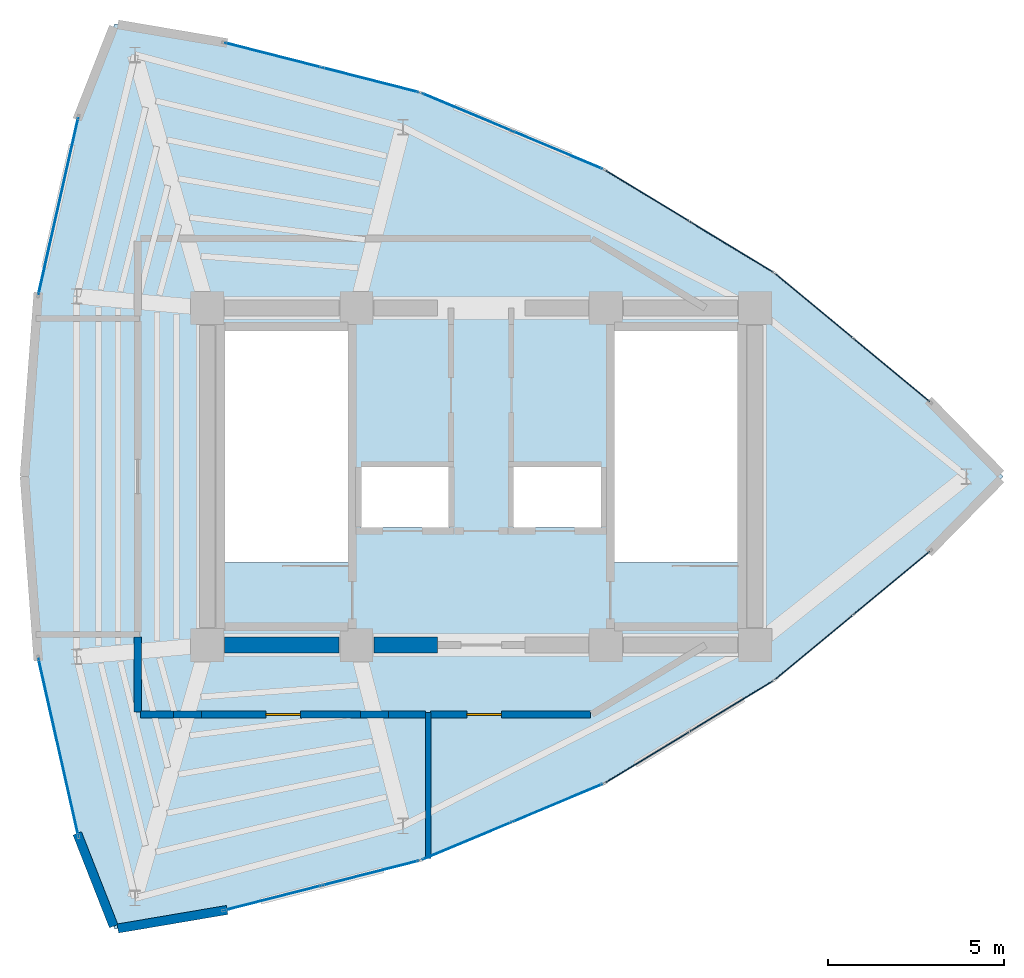
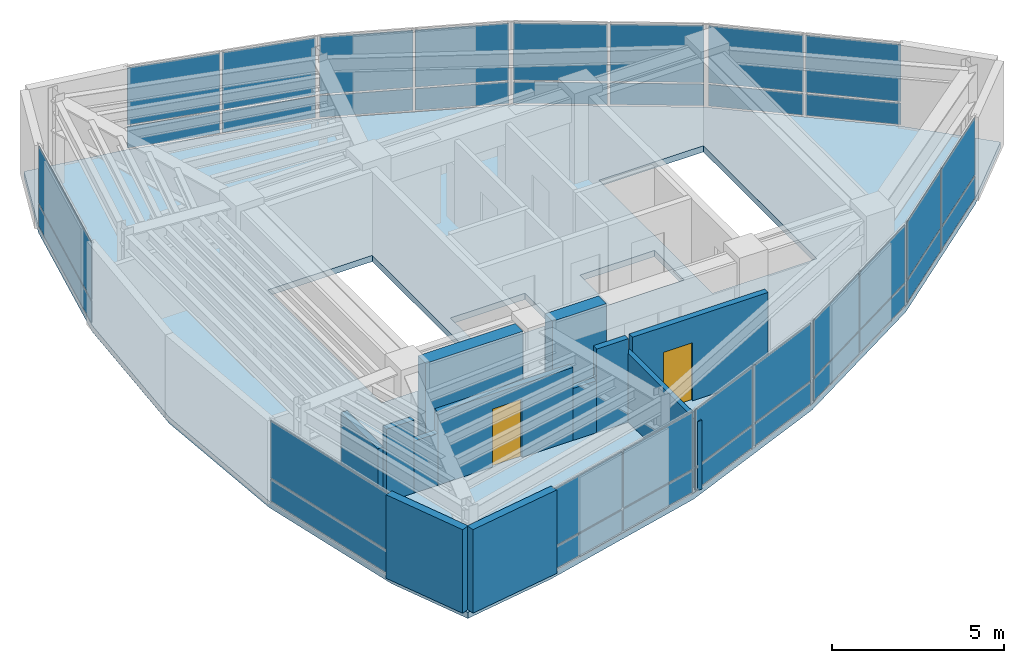
# One storey, part 11 of 13: 36 plates, 12 walls, 2 doors, 1 slab, 2 openings, 10 elements without a shape of their own.
"""IFC4 building model written with IfcOpenShell, lengths in metres."""

from ifc_helpers import new_model, si_unit, direction, frame, frame_2d, origin, origin_2d, place, context, subcontext, project, spatial, polyline, rectangle, outline, extrude, material, layer, layer_set, type_object, element, fill, aggregate, save


model = new_model("IFC4")

# Units and contexts
model_context = context("Model", 3, precision=1e-05, world=origin(), true_north=direction((0.0, 1.0)))
body_context = subcontext(model_context, "Body", "Model", "MODEL_VIEW")
ifc_project = project(units=[si_unit("LENGTHUNIT", "METRE"), si_unit("AREAUNIT", "SQUARE_METRE"), si_unit("VOLUMEUNIT", "CUBIC_METRE"), si_unit("PLANEANGLEUNIT", "RADIAN"), si_unit("MASSUNIT", "GRAM", prefix="KILO")], contexts=[model_context])

# Site, building, storey
site_placement = place(None, origin())
site = spatial("IfcSite", under=ifc_project, at=site_placement, CompositionType="ELEMENT")
building_placement = place(site_placement, origin())
building = spatial("IfcBuilding", under=site, at=building_placement, Name="Menara Vayukalpa", CompositionType="ELEMENT")
storey_placement = place(building_placement, frame((0.0, 0.0, 315.219970703125)))
storey = spatial("IfcBuildingStorey", under=building, at=storey_placement, Name="L81", CompositionType="ELEMENT", Elevation=315.219970703125)

# Curtain wall, plates
ifc_material_1 = material(Name="Anodised Terracotta Aluminium Alloy 6063-T6", Category="masonry")
ifc_layer_1 = layer(ifc_material_1, 0.14990234375)
ifc_layer_set_1 = layer_set([ifc_layer_1], Name="Anodised Terracotta Aluminium Alloy 6063-T6")
curtain_wall_type = type_object("IfcCurtainWallType", Name="CW-CW7", PredefinedType="USERDEFINED", material=ifc_layer_set_1)
curtain_wall_1_placement = place(storey_placement, origin())
curtain_wall_1 = element("IfcCurtainWall", 1, at=curtain_wall_1_placement, inside=storey, type_object=curtain_wall_type, Name="L81 Crown Drum Screened Curtain Wall CW7 03", ObjectType="UNITISED", PredefinedType="USERDEFINED")
ifc_material_2 = material(Name="Low-E Double Glazing", Category="glass")
ifc_layer_2 = layer(ifc_material_2, 0.02587890625)
ifc_layer_set_2 = layer_set([ifc_layer_2], Name="Low-E Double Glazing")
plate_type = type_object("IfcPlateType", Name="CWP-CW7", PredefinedType="CURTAIN_PANEL", material=ifc_layer_set_2)
plate_1_placement = place(storey_placement, frame((37.28271484375, 25.031982421875, 0.06005859375), z_axis=(0.0, 0.0, 1.0), x_axis=(-0.7697490702, 0.63834658997, 0.0)))
plate_1 = element("IfcPlate", 2, at=plate_1_placement, type_object=plate_type, Name="CW7 panel 1.1", PredefinedType="CURTAIN_PANEL", context=body_context, shape_type="SweptSolid", body=[
    extrude(rectangle(XDim=2.80078125, YDim=0.02587890625, at=origin_2d()), origin(), (0.0, 0.0, 1.0), 0.760009765625),
])
plate_2_placement = place(storey_placement, frame((37.28271484375, 25.031982421875, 0.880126953125), z_axis=(0.0, 0.0, 1.0), x_axis=(-0.7697490702, 0.63834658997, 0.0)))
plate_2 = element("IfcPlate", 3, at=plate_2_placement, type_object=plate_type, Name="CW7 panel 1.2", PredefinedType="CURTAIN_PANEL", context=body_context, shape_type="SweptSolid", body=[
    extrude(rectangle(XDim=2.80078125, YDim=0.02587890625, at=origin_2d()), origin(), (0.0, 0.0, 1.0), 2.02001953125),
])
plate_3_placement = place(storey_placement, frame((35.07666015625, 26.861328125, 0.06005859375), z_axis=(0.0, 0.0, 1.0), x_axis=(-0.7697490702, 0.63834658997, 0.0)))
plate_3 = element("IfcPlate", 4, at=plate_3_placement, type_object=plate_type, Name="CW7 panel 2.1", PredefinedType="CURTAIN_PANEL", context=body_context, shape_type="SweptSolid", body=[
    extrude(rectangle(XDim=2.80078125, YDim=0.02587890625, at=origin_2d()), origin(), (0.0, 0.0, 1.0), 0.760009765625),
])
plate_4_placement = place(storey_placement, frame((35.07666015625, 26.861328125, 0.880126953125), z_axis=(0.0, 0.0, 1.0), x_axis=(-0.7697490702, 0.63834658997, 0.0)))
plate_4 = element("IfcPlate", 5, at=plate_4_placement, type_object=plate_type, Name="CW7 panel 2.2", PredefinedType="CURTAIN_PANEL", context=body_context, shape_type="SweptSolid", body=[
    extrude(rectangle(XDim=2.80078125, YDim=0.02587890625, at=origin_2d()), origin(), (0.0, 0.0, 1.0), 2.02001953125),
])
aggregate(curtain_wall_1, [plate_1, plate_2, plate_3, plate_4])

curtain_wall_2_placement = place(storey_placement, origin())
curtain_wall_2 = element("IfcCurtainWall", 6, at=curtain_wall_2_placement, inside=storey, type_object=curtain_wall_type, Name="L81 Crown Drum Screened Curtain Wall CW7 04", ObjectType="UNITISED", PredefinedType="USERDEFINED")
plate_5_placement = place(storey_placement, frame((32.72314453125, 28.541259765625, 0.06005859375), z_axis=(0.0, 0.0, 1.0), x_axis=(-0.854667083096, 0.519176441176, 0.0)))
plate_5 = element("IfcPlate", 7, at=plate_5_placement, type_object=plate_type, Name="CW7 panel 1.1", PredefinedType="CURTAIN_PANEL", context=body_context, shape_type="SweptSolid", body=[
    extrude(rectangle(XDim=2.738037109375, YDim=0.02587890625, at=origin_2d()), origin(), (0.0, 0.0, 1.0), 0.760009765625),
])
plate_6_placement = place(storey_placement, frame((32.72314453125, 28.541259765625, 0.880126953125), z_axis=(0.0, 0.0, 1.0), x_axis=(-0.854667083096, 0.519176441176, 0.0)))
plate_6 = element("IfcPlate", 8, at=plate_6_placement, type_object=plate_type, Name="CW7 panel 1.2", PredefinedType="CURTAIN_PANEL", context=body_context, shape_type="SweptSolid", body=[
    extrude(rectangle(XDim=2.738037109375, YDim=0.02587890625, at=origin_2d()), origin(), (0.0, 0.0, 1.0), 2.02001953125),
])
plate_7_placement = place(storey_placement, frame((30.327392578125, 29.99658203125, 0.06005859375), z_axis=(0.0, 0.0, 1.0), x_axis=(-0.854667083096, 0.519176441176, 0.0)))
plate_7 = element("IfcPlate", 9, at=plate_7_placement, type_object=plate_type, Name="CW7 panel 2.1", PredefinedType="CURTAIN_PANEL", context=body_context, shape_type="SweptSolid", body=[
    extrude(rectangle(XDim=2.738037109375, YDim=0.02587890625, at=origin_2d()), origin(), (0.0, 0.0, 1.0), 0.760009765625),
])
plate_8_placement = place(storey_placement, frame((30.327392578125, 29.99658203125, 0.880126953125), z_axis=(0.0, 0.0, 1.0), x_axis=(-0.854667083096, 0.519176441176, 0.0)))
plate_8 = element("IfcPlate", 10, at=plate_8_placement, type_object=plate_type, Name="CW7 panel 2.2", PredefinedType="CURTAIN_PANEL", context=body_context, shape_type="SweptSolid", body=[
    extrude(rectangle(XDim=2.738037109375, YDim=0.02587890625, at=origin_2d()), origin(), (0.0, 0.0, 1.0), 2.02001953125),
])
aggregate(curtain_wall_2, [plate_5, plate_6, plate_7, plate_8])

curtain_wall_3_placement = place(storey_placement, origin())
curtain_wall_3 = element("IfcCurtainWall", 11, at=curtain_wall_3_placement, inside=storey, type_object=curtain_wall_type, Name="L81 Crown Drum Screened Curtain Wall CW7 05", ObjectType="UNITISED", PredefinedType="USERDEFINED")
plate_9_placement = place(storey_placement, frame((27.77880859375, 31.29443359375, 0.06005859375), z_axis=(0.0, 0.0, 1.0), x_axis=(-0.922541302191, 0.385898361946, 0.0)))
plate_9 = element("IfcPlate", 12, at=plate_9_placement, type_object=plate_type, Name="CW7 panel 1.1", PredefinedType="CURTAIN_PANEL", context=body_context, shape_type="SweptSolid", body=[
    extrude(rectangle(XDim=2.738037109375, YDim=0.02587890625, at=origin_2d()), origin(), (0.0, 0.0, 1.0), 0.760009765625),
])
plate_10_placement = place(storey_placement, frame((27.77880859375, 31.29443359375, 0.880126953125), z_axis=(0.0, 0.0, 1.0), x_axis=(-0.922541302191, 0.385898361946, 0.0)))
plate_10 = element("IfcPlate", 13, at=plate_10_placement, type_object=plate_type, Name="CW7 panel 1.2", PredefinedType="CURTAIN_PANEL", context=body_context, shape_type="SweptSolid", body=[
    extrude(rectangle(XDim=2.738037109375, YDim=0.02587890625, at=origin_2d()), origin(), (0.0, 0.0, 1.0), 2.02001953125),
])
plate_11_placement = place(storey_placement, frame((25.19287109375, 32.376220703125, 0.06005859375), z_axis=(0.0, 0.0, 1.0), x_axis=(-0.922541302191, 0.385898361946, 0.0)))
plate_11 = element("IfcPlate", 14, at=plate_11_placement, type_object=plate_type, Name="CW7 panel 2.1", PredefinedType="CURTAIN_PANEL", context=body_context, shape_type="SweptSolid", body=[
    extrude(rectangle(XDim=2.738037109375, YDim=0.02587890625, at=origin_2d()), origin(), (0.0, 0.0, 1.0), 0.760009765625),
])
plate_12_placement = place(storey_placement, frame((25.19287109375, 32.376220703125, 0.880126953125), z_axis=(0.0, 0.0, 1.0), x_axis=(-0.922541302191, 0.385898361946, 0.0)))
plate_12 = element("IfcPlate", 15, at=plate_12_placement, type_object=plate_type, Name="CW7 panel 2.2", PredefinedType="CURTAIN_PANEL", context=body_context, shape_type="SweptSolid", body=[
    extrude(rectangle(XDim=2.738037109375, YDim=0.02587890625, at=origin_2d()), origin(), (0.0, 0.0, 1.0), 2.02001953125),
])
aggregate(curtain_wall_3, [plate_9, plate_10, plate_11, plate_12])

curtain_wall_4_placement = place(storey_placement, origin())
curtain_wall_4 = element("IfcCurtainWall", 16, at=curtain_wall_4_placement, inside=storey, type_object=curtain_wall_type, Name="L81 Crown Drum Screened Curtain Wall CW7 06", ObjectType="UNITISED", PredefinedType="USERDEFINED")
plate_13_placement = place(storey_placement, frame((22.449951171875, 33.291748046875, 0.06005859375), z_axis=(0.0, 0.0, 1.0), x_axis=(-0.968983924097, 0.247123764219, 0.0)))
plate_13 = element("IfcPlate", 17, at=plate_13_placement, type_object=plate_type, Name="CW7 panel 1.1", PredefinedType="CURTAIN_PANEL", context=body_context, shape_type="SweptSolid", body=[
    extrude(rectangle(XDim=2.80078125, YDim=0.02587890625, at=origin_2d()), origin(), (0.0, 0.0, 1.0), 0.760009765625),
])
plate_14_placement = place(storey_placement, frame((22.449951171875, 33.291748046875, 0.880126953125), z_axis=(0.0, 0.0, 1.0), x_axis=(-0.968983924097, 0.247123764219, 0.0)))
plate_14 = element("IfcPlate", 18, at=plate_14_placement, type_object=plate_type, Name="CW7 panel 1.2", PredefinedType="CURTAIN_PANEL", context=body_context, shape_type="SweptSolid", body=[
    extrude(rectangle(XDim=2.80078125, YDim=0.02587890625, at=origin_2d()), origin(), (0.0, 0.0, 1.0), 2.02001953125),
])
plate_15_placement = place(storey_placement, frame((19.6728515625, 34.0, 0.06005859375), z_axis=(0.0, 0.0, 1.0), x_axis=(-0.968983924097, 0.247123764219, 0.0)))
plate_15 = element("IfcPlate", 19, at=plate_15_placement, type_object=plate_type, Name="CW7 panel 2.1", PredefinedType="CURTAIN_PANEL", context=body_context, shape_type="SweptSolid", body=[
    extrude(rectangle(XDim=2.80078125, YDim=0.02587890625, at=origin_2d()), origin(), (0.0, 0.0, 1.0), 0.760009765625),
])
plate_16_placement = place(storey_placement, frame((19.6728515625, 34.0, 0.880126953125), z_axis=(0.0, 0.0, 1.0), x_axis=(-0.968983924097, 0.247123764219, 0.0)))
plate_16 = element("IfcPlate", 20, at=plate_16_placement, type_object=plate_type, Name="CW7 panel 2.2", PredefinedType="CURTAIN_PANEL", context=body_context, shape_type="SweptSolid", body=[
    extrude(rectangle(XDim=2.80078125, YDim=0.02587890625, at=origin_2d()), origin(), (0.0, 0.0, 1.0), 2.02001953125),
])
aggregate(curtain_wall_4, [plate_13, plate_14, plate_15, plate_16])

curtain_wall_5_placement = place(storey_placement, origin())
curtain_wall_5 = element("IfcCurtainWall", 21, at=curtain_wall_5_placement, inside=storey, type_object=curtain_wall_type, Name="L81 Crown Drum Screened Curtain Wall CW7 09", ObjectType="UNITISED", PredefinedType="USERDEFINED")
plate_17_placement = place(storey_placement, frame((13.558837890625, 29.69921875, 0.06005859375), z_axis=(0.0, 0.0, 1.0), x_axis=(-0.219515813421, -0.975608941973, 0.0)))
plate_17 = element("IfcPlate", 22, at=plate_17_placement, type_object=plate_type, Name="CW7 panel 1.1", PredefinedType="CURTAIN_PANEL", context=body_context, shape_type="SweptSolid", body=[
    extrude(rectangle(XDim=5.131103515625, YDim=0.02587890625, at=origin_2d()), origin(), (0.0, 0.0, 1.0), 0.760009765625),
])
plate_18_placement = place(storey_placement, frame((13.558837890625, 29.69921875, 0.880126953125), z_axis=(0.0, 0.0, 1.0), x_axis=(-0.219515813421, -0.975608941973, 0.0)))
plate_18 = element("IfcPlate", 23, at=plate_18_placement, type_object=plate_type, Name="CW7 panel 1.2", PredefinedType="CURTAIN_PANEL", context=body_context, shape_type="SweptSolid", body=[
    extrude(rectangle(XDim=5.131103515625, YDim=0.02587890625, at=origin_2d()), origin(), (0.0, 0.0, 1.0), 2.02001953125),
])
aggregate(curtain_wall_5, [plate_17, plate_18])

curtain_wall_6_placement = place(storey_placement, origin())
curtain_wall_6 = element("IfcCurtainWall", 24, at=curtain_wall_6_placement, inside=storey, type_object=curtain_wall_type, Name="L81 Crown Drum Screened Curtain Wall CW7 12", ObjectType="UNITISED", PredefinedType="USERDEFINED")
plate_19_placement = place(storey_placement, frame((13.558837890625, 14.30078125, 0.06005859375), z_axis=(0.0, 0.0, 1.0), x_axis=(0.219515813421, -0.975608941973, 0.0)))
plate_19 = element("IfcPlate", 25, at=plate_19_placement, type_object=plate_type, Name="CW7 panel 1.1", PredefinedType="CURTAIN_PANEL", context=body_context, shape_type="SweptSolid", body=[
    extrude(rectangle(XDim=5.131103515625, YDim=0.02587890625, at=origin_2d()), origin(), (0.0, 0.0, 1.0), 0.760009765625),
])
plate_20_placement = place(storey_placement, frame((13.558837890625, 14.30078125, 0.880126953125), z_axis=(0.0, 0.0, 1.0), x_axis=(0.219515813421, -0.975608941973, 0.0)))
plate_20 = element("IfcPlate", 26, at=plate_20_placement, type_object=plate_type, Name="CW7 panel 1.2", PredefinedType="CURTAIN_PANEL", context=body_context, shape_type="SweptSolid", body=[
    extrude(rectangle(XDim=5.131103515625, YDim=0.02587890625, at=origin_2d()), origin(), (0.0, 0.0, 1.0), 2.02001953125),
])
aggregate(curtain_wall_6, [plate_19, plate_20])

curtain_wall_7_placement = place(storey_placement, origin())
curtain_wall_7 = element("IfcCurtainWall", 27, at=curtain_wall_7_placement, inside=storey, type_object=curtain_wall_type, Name="L81 Crown Drum Screened Curtain Wall CW7 15", ObjectType="UNITISED", PredefinedType="USERDEFINED")
plate_21_placement = place(storey_placement, frame((19.6728515625, 10.0, 0.06005859375), z_axis=(0.0, 0.0, 1.0), x_axis=(0.968983924097, 0.247123764219, 0.0)))
plate_21 = element("IfcPlate", 28, at=plate_21_placement, type_object=plate_type, Name="CW7 panel 1.1", PredefinedType="CURTAIN_PANEL", context=body_context, shape_type="SweptSolid", body=[
    extrude(rectangle(XDim=2.80078125, YDim=0.02587890625, at=origin_2d()), origin(), (0.0, 0.0, 1.0), 0.760009765625),
])
plate_22_placement = place(storey_placement, frame((19.6728515625, 10.0, 0.880126953125), z_axis=(0.0, 0.0, 1.0), x_axis=(0.968983924097, 0.247123764219, 0.0)))
plate_22 = element("IfcPlate", 29, at=plate_22_placement, type_object=plate_type, Name="CW7 panel 1.2", PredefinedType="CURTAIN_PANEL", context=body_context, shape_type="SweptSolid", body=[
    extrude(rectangle(XDim=2.80078125, YDim=0.02587890625, at=origin_2d()), origin(), (0.0, 0.0, 1.0), 2.02001953125),
])
plate_23_placement = place(storey_placement, frame((22.449951171875, 10.708251953125, 0.06005859375), z_axis=(0.0, 0.0, 1.0), x_axis=(0.968983924097, 0.247123764219, 0.0)))
plate_23 = element("IfcPlate", 30, at=plate_23_placement, type_object=plate_type, Name="CW7 panel 2.1", PredefinedType="CURTAIN_PANEL", context=body_context, shape_type="SweptSolid", body=[
    extrude(rectangle(XDim=2.80078125, YDim=0.02587890625, at=origin_2d()), origin(), (0.0, 0.0, 1.0), 0.760009765625),
])
plate_24_placement = place(storey_placement, frame((22.449951171875, 10.708251953125, 0.880126953125), z_axis=(0.0, 0.0, 1.0), x_axis=(0.968983924097, 0.247123764219, 0.0)))
plate_24 = element("IfcPlate", 31, at=plate_24_placement, type_object=plate_type, Name="CW7 panel 2.2", PredefinedType="CURTAIN_PANEL", context=body_context, shape_type="SweptSolid", body=[
    extrude(rectangle(XDim=2.80078125, YDim=0.02587890625, at=origin_2d()), origin(), (0.0, 0.0, 1.0), 2.02001953125),
])
aggregate(curtain_wall_7, [plate_21, plate_22, plate_23, plate_24])

curtain_wall_8_placement = place(storey_placement, origin())
curtain_wall_8 = element("IfcCurtainWall", 32, at=curtain_wall_8_placement, inside=storey, type_object=curtain_wall_type, Name="L81 Crown Drum Screened Curtain Wall CW7 16", ObjectType="UNITISED", PredefinedType="USERDEFINED")
plate_25_placement = place(storey_placement, frame((25.19287109375, 11.623779296875, 0.06005859375), z_axis=(0.0, 0.0, 1.0), x_axis=(0.922541302191, 0.385898361946, 0.0)))
plate_25 = element("IfcPlate", 33, at=plate_25_placement, type_object=plate_type, Name="CW7 panel 1.1", PredefinedType="CURTAIN_PANEL", context=body_context, shape_type="SweptSolid", body=[
    extrude(rectangle(XDim=2.738037109375, YDim=0.02587890625, at=origin_2d()), origin(), (0.0, 0.0, 1.0), 0.760009765625),
])
plate_26_placement = place(storey_placement, frame((25.19287109375, 11.623779296875, 0.880126953125), z_axis=(0.0, 0.0, 1.0), x_axis=(0.922541302191, 0.385898361946, 0.0)))
plate_26 = element("IfcPlate", 34, at=plate_26_placement, type_object=plate_type, Name="CW7 panel 1.2", PredefinedType="CURTAIN_PANEL", context=body_context, shape_type="SweptSolid", body=[
    extrude(rectangle(XDim=2.738037109375, YDim=0.02587890625, at=origin_2d()), origin(), (0.0, 0.0, 1.0), 2.02001953125),
])
plate_27_placement = place(storey_placement, frame((27.77880859375, 12.70556640625, 0.06005859375), z_axis=(0.0, 0.0, 1.0), x_axis=(0.922541302191, 0.385898361946, 0.0)))
plate_27 = element("IfcPlate", 35, at=plate_27_placement, type_object=plate_type, Name="CW7 panel 2.1", PredefinedType="CURTAIN_PANEL", context=body_context, shape_type="SweptSolid", body=[
    extrude(rectangle(XDim=2.738037109375, YDim=0.02587890625, at=origin_2d()), origin(), (0.0, 0.0, 1.0), 0.760009765625),
])
plate_28_placement = place(storey_placement, frame((27.77880859375, 12.70556640625, 0.880126953125), z_axis=(0.0, 0.0, 1.0), x_axis=(0.922541302191, 0.385898361946, 0.0)))
plate_28 = element("IfcPlate", 36, at=plate_28_placement, type_object=plate_type, Name="CW7 panel 2.2", PredefinedType="CURTAIN_PANEL", context=body_context, shape_type="SweptSolid", body=[
    extrude(rectangle(XDim=2.738037109375, YDim=0.02587890625, at=origin_2d()), origin(), (0.0, 0.0, 1.0), 2.02001953125),
])
aggregate(curtain_wall_8, [plate_25, plate_26, plate_27, plate_28])

curtain_wall_9_placement = place(storey_placement, origin())
curtain_wall_9 = element("IfcCurtainWall", 37, at=curtain_wall_9_placement, inside=storey, type_object=curtain_wall_type, Name="L81 Crown Drum Screened Curtain Wall CW7 17", ObjectType="UNITISED", PredefinedType="USERDEFINED")
plate_29_placement = place(storey_placement, frame((30.327392578125, 14.00341796875, 0.06005859375), z_axis=(0.0, 0.0, 1.0), x_axis=(0.854667083096, 0.519176441176, 0.0)))
plate_29 = element("IfcPlate", 38, at=plate_29_placement, type_object=plate_type, Name="CW7 panel 1.1", PredefinedType="CURTAIN_PANEL", context=body_context, shape_type="SweptSolid", body=[
    extrude(rectangle(XDim=2.738037109375, YDim=0.02587890625, at=origin_2d()), origin(), (0.0, 0.0, 1.0), 0.760009765625),
])
plate_30_placement = place(storey_placement, frame((30.327392578125, 14.00341796875, 0.880126953125), z_axis=(0.0, 0.0, 1.0), x_axis=(0.854667083096, 0.519176441176, 0.0)))
plate_30 = element("IfcPlate", 39, at=plate_30_placement, type_object=plate_type, Name="CW7 panel 1.2", PredefinedType="CURTAIN_PANEL", context=body_context, shape_type="SweptSolid", body=[
    extrude(rectangle(XDim=2.738037109375, YDim=0.02587890625, at=origin_2d()), origin(), (0.0, 0.0, 1.0), 2.02001953125),
])
plate_31_placement = place(storey_placement, frame((32.72314453125, 15.458740234375, 0.06005859375), z_axis=(0.0, 0.0, 1.0), x_axis=(0.854667083096, 0.519176441176, 0.0)))
plate_31 = element("IfcPlate", 40, at=plate_31_placement, type_object=plate_type, Name="CW7 panel 2.1", PredefinedType="CURTAIN_PANEL", context=body_context, shape_type="SweptSolid", body=[
    extrude(rectangle(XDim=2.738037109375, YDim=0.02587890625, at=origin_2d()), origin(), (0.0, 0.0, 1.0), 0.760009765625),
])
plate_32_placement = place(storey_placement, frame((32.72314453125, 15.458740234375, 0.880126953125), z_axis=(0.0, 0.0, 1.0), x_axis=(0.854667083096, 0.519176441176, 0.0)))
plate_32 = element("IfcPlate", 41, at=plate_32_placement, type_object=plate_type, Name="CW7 panel 2.2", PredefinedType="CURTAIN_PANEL", context=body_context, shape_type="SweptSolid", body=[
    extrude(rectangle(XDim=2.738037109375, YDim=0.02587890625, at=origin_2d()), origin(), (0.0, 0.0, 1.0), 2.02001953125),
])
aggregate(curtain_wall_9, [plate_29, plate_30, plate_31, plate_32])

curtain_wall_10_placement = place(storey_placement, origin())
curtain_wall_10 = element("IfcCurtainWall", 42, at=curtain_wall_10_placement, inside=storey, type_object=curtain_wall_type, Name="L81 Crown Drum Screened Curtain Wall CW7 18", ObjectType="UNITISED", PredefinedType="USERDEFINED")
plate_33_placement = place(storey_placement, frame((35.07666015625, 17.138671875, 0.06005859375), z_axis=(0.0, 0.0, 1.0), x_axis=(0.7697490702, 0.63834658997, 0.0)))
plate_33 = element("IfcPlate", 43, at=plate_33_placement, type_object=plate_type, Name="CW7 panel 1.1", PredefinedType="CURTAIN_PANEL", context=body_context, shape_type="SweptSolid", body=[
    extrude(rectangle(XDim=2.80078125, YDim=0.02587890625, at=origin_2d()), origin(), (0.0, 0.0, 1.0), 0.760009765625),
])
plate_34_placement = place(storey_placement, frame((35.07666015625, 17.138671875, 0.880126953125), z_axis=(0.0, 0.0, 1.0), x_axis=(0.7697490702, 0.63834658997, 0.0)))
plate_34 = element("IfcPlate", 44, at=plate_34_placement, type_object=plate_type, Name="CW7 panel 1.2", PredefinedType="CURTAIN_PANEL", context=body_context, shape_type="SweptSolid", body=[
    extrude(rectangle(XDim=2.80078125, YDim=0.02587890625, at=origin_2d()), origin(), (0.0, 0.0, 1.0), 2.02001953125),
])
plate_35_placement = place(storey_placement, frame((37.28271484375, 18.968017578125, 0.06005859375), z_axis=(0.0, 0.0, 1.0), x_axis=(0.7697490702, 0.63834658997, 0.0)))
plate_35 = element("IfcPlate", 45, at=plate_35_placement, type_object=plate_type, Name="CW7 panel 2.1", PredefinedType="CURTAIN_PANEL", context=body_context, shape_type="SweptSolid", body=[
    extrude(rectangle(XDim=2.80078125, YDim=0.02587890625, at=origin_2d()), origin(), (0.0, 0.0, 1.0), 0.760009765625),
])
plate_36_placement = place(storey_placement, frame((37.28271484375, 18.968017578125, 0.880126953125), z_axis=(0.0, 0.0, 1.0), x_axis=(0.7697490702, 0.63834658997, 0.0)))
plate_36 = element("IfcPlate", 46, at=plate_36_placement, type_object=plate_type, Name="CW7 panel 2.2", PredefinedType="CURTAIN_PANEL", context=body_context, shape_type="SweptSolid", body=[
    extrude(rectangle(XDim=2.80078125, YDim=0.02587890625, at=origin_2d()), origin(), (0.0, 0.0, 1.0), 2.02001953125),
])
aggregate(curtain_wall_10, [plate_33, plate_34, plate_35, plate_36])

# Slab
ifc_material_3 = material(Name="Concrete C40/50", Category="concrete")
ifc_layer_3 = layer(ifc_material_3, 0.219970703125)
ifc_layer_set_3 = layer_set([ifc_layer_3], Name="Concrete C40/50")
slab_type = type_object("IfcSlabType", Name="SLB-FL220", PredefinedType="FLOOR", material=ifc_layer_set_3)
slab_placement = place(storey_placement, frame((0.0, 0.0, -0.219970703125)))
element("IfcSlab", 47, at=slab_placement, inside=storey, type_object=slab_type, Name="L81 Structural Floor Slab", PredefinedType="FLOOR", context=body_context, shape_type="SweptSolid", body=[
    extrude(outline(polyline([(38.41064453125, 19.903564453125), (40.468994140625, 22.0), (38.41064453125, 24.096435546875), (33.94873046875, 27.796875), (29.101806640625, 30.7412109375), (23.869873046875, 32.9296875), (18.2529296875, 34.362060546875), (15.16552734375, 34.88623046875), (14.13623046875, 32.265625), (12.9814453125, 27.1328125), (12.596435546875, 22.0), (12.9814453125, 16.8671875), (14.13623046875, 11.734375), (15.16552734375, 9.11376953125), (18.2529296875, 9.637939453125), (23.869873046875, 11.0703125), (29.101806640625, 13.2587890625), (33.94873046875, 16.203125), (38.41064453125, 19.903564453125)]), holes=[polyline([(21.800048828125, 19.550048828125), (21.800048828125, 26.14990234375), (18.300048828125, 26.14990234375), (18.300048828125, 19.550048828125), (21.800048828125, 19.550048828125)]), polyline([(32.89990234375, 19.550048828125), (32.89990234375, 26.14990234375), (29.39990234375, 26.14990234375), (29.39990234375, 19.550048828125), (32.89990234375, 19.550048828125)]), polyline([(22.179931640625, 20.550048828125), (24.679931640625, 20.550048828125), (24.679931640625, 22.27001953125), (22.179931640625, 22.27001953125), (22.179931640625, 20.550048828125)]), polyline([(26.52001953125, 20.550048828125), (29.02001953125, 20.550048828125), (29.02001953125, 22.27001953125), (26.52001953125, 22.27001953125), (26.52001953125, 20.550048828125)])]), origin(), (0.0, 0.0, 1.0), 0.219970703125),
])

# Walls
ifc_material_4 = material(Name="Concrete C50/60", Category="concrete")
ifc_layer_4 = layer(ifc_material_4, 0.449951171875)
ifc_layer_set_4 = layer_set([ifc_layer_4], Name="Concrete C50/60")
wall_type_1 = type_object("IfcWallType", Name="WAL-CW450", PredefinedType="SHEAR", material=ifc_layer_set_4)
wall_1_placement = place(storey_placement, frame((18.294921875, 17.199951171875, 0.0), z_axis=(0.0, 0.0, 1.0), x_axis=(1.0, 0.0, 0.0)))
element("IfcWall", 48, at=wall_1_placement, inside=storey, type_object=wall_type_1, Name="L81 Buttressed Core Shear Wall CWS1", PredefinedType="SHEAR", context=body_context, shape_type="SweptSolid", body=[
    extrude(rectangle(XDim=3.260009765625, YDim=0.449951171875, at=frame_2d((1.6298828125, 0.0))), origin(), (0.0, 0.0, 1.0), 2.9599609375),
])
wall_2_placement = place(storey_placement, frame((22.544921875, 17.199951171875, 0.0), z_axis=(0.0, 0.0, 1.0), x_axis=(1.0, 0.0, 0.0)))
element("IfcWall", 49, at=wall_2_placement, inside=storey, type_object=wall_type_1, Name="L81 Buttressed Core Shear Wall CWS2", PredefinedType="SHEAR", context=body_context, shape_type="SweptSolid", body=[
    extrude(rectangle(XDim=1.80517578125, YDim=0.449951171875, at=frame_2d((0.902587890625, 0.0))), origin(), (0.0, 0.0, 1.0), 2.9599609375),
])
ifc_material_5 = material(Name="Insulated Precast Concrete C40/50", Category="concrete")
ifc_layer_5 = layer(ifc_material_5, 0.260009765625)
ifc_layer_set_5 = layer_set([ifc_layer_5], Name="Insulated Precast Concrete C40/50")
wall_type_2 = type_object("IfcWallType", Name="WAL-EXT260", PredefinedType="PARTITIONING", material=ifc_layer_set_5)
wall_3_placement = place(storey_placement, frame((15.133544921875, 9.195068359375, 0.0), z_axis=(0.0, 0.0, 1.0), x_axis=(-0.365495346637, 0.930813166853, 0.0)))
element("IfcWall", 50, at=wall_3_placement, inside=storey, type_object=wall_type_2, Name="L81 Perimeter Terracotta Pier Wall 13", PredefinedType="PARTITIONING", context=body_context, shape_type="SweptSolid", body=[
    extrude(rectangle(XDim=2.838134765625, YDim=0.260009765625, at=frame_2d((1.4189453125, 0.0))), origin(), (0.0, 0.0, 1.0), 2.9599609375),
])
wall_4_placement = place(storey_placement, frame((18.366455078125, 9.656982421875, 0.0), z_axis=(0.0, 0.0, 1.0), x_axis=(-0.985905089134, -0.167305574383, 0.0)))
element("IfcWall", 51, at=wall_4_placement, inside=storey, type_object=wall_type_2, Name="L81 Perimeter Terracotta Pier Wall 14", PredefinedType="PARTITIONING", context=body_context, shape_type="SweptSolid", body=[
    extrude(rectangle(XDim=3.1591796875, YDim=0.260009765625, at=frame_2d((1.57958984375, 0.0))), origin(), (0.0, 0.0, 1.0), 2.9599609375),
])
ifc_material_6 = material(Name="Lightweight Concrete Blockwork C16/20", Category="masonry")
ifc_layer_6 = layer(ifc_material_6, 0.159912109375)
ifc_layer_set_6 = layer_set([ifc_layer_6], Name="Lightweight Concrete Blockwork C16/20")
wall_type_3 = type_object("IfcWallType", Name="WAL-FR150", PredefinedType="PARTITIONING", material=ifc_layer_set_6)
wall_5_placement = place(storey_placement, frame((24.090576171875, 11.119384765625, 0.0), z_axis=(0.0, 0.0, 1.0), x_axis=(0.0, 1.0, 0.0)))
element("IfcWall", 52, at=wall_5_placement, inside=storey, type_object=wall_type_3, Name="L81 Interior Partition IW-L81-RDIV03", PredefinedType="PARTITIONING", context=body_context, shape_type="SweptSolid", body=[
    extrude(rectangle(XDim=4.16064453125, YDim=0.159912109375, at=frame_2d((2.080322265625, 0.0))), origin(), (0.0, 0.0, 1.0), 2.43994140625),
])
ifc_material_7 = material(Name="Lightweight Concrete Blockwork C16/20", Category="masonry")
ifc_layer_7 = layer(ifc_material_7, 0.199951171875)
ifc_layer_set_7 = layer_set([ifc_layer_7], Name="Lightweight Concrete Blockwork C16/20")
wall_type_4 = type_object("IfcWallType", Name="WAL-FR200", PredefinedType="PARTITIONING", material=ifc_layer_set_7)
wall_6_placement = place(storey_placement, frame((15.820068359375, 17.429931640625, 0.0), z_axis=(0.0, 0.0, 1.0), x_axis=(0.0, -1.0, 0.0)))
element("IfcWall", 53, at=wall_6_placement, inside=storey, type_object=wall_type_4, Name="L81 Interior Partition IW-L81-CRM01-1", PredefinedType="PARTITIONING", context=body_context, shape_type="SweptSolid", body=[
    extrude(rectangle(XDim=2.1298828125, YDim=0.199951171875, at=frame_2d((1.06494140625, 0.0))), origin(), (0.0, 0.0, 1.0), 1.85009765625),
])
wall_7_placement = place(storey_placement, frame((16.833740234375, 15.219970703125, 0.0), z_axis=(0.0, 0.0, 1.0), x_axis=(1.0, 0.0, 0.0)))
element("IfcWall", 54, at=wall_7_placement, inside=storey, type_object=wall_type_4, Name="L81 Interior Partition IW-L81-CRM01-2 Beam Collar 1", PredefinedType="PARTITIONING", context=body_context, shape_type="SweptSolid", body=[
    extrude(rectangle(XDim=0.80078125, YDim=0.199951171875, at=frame_2d((0.400390625, 0.0))), origin(), (0.0, 0.0, 1.0), 1.840087890625),
])
wall_8_placement = place(storey_placement, frame((22.160400390625, 15.219970703125, 0.0), z_axis=(0.0, 0.0, 1.0), x_axis=(1.0, 0.0, 0.0)))
element("IfcWall", 55, at=wall_8_placement, inside=storey, type_object=wall_type_4, Name="L81 Interior Partition IW-L81-CRM01-2 Beam Collar 2", PredefinedType="PARTITIONING", context=body_context, shape_type="SweptSolid", body=[
    extrude(rectangle(XDim=0.794921875, YDim=0.199951171875, at=frame_2d((0.3974609375, 0.0))), origin(), (0.0, 0.0, 1.0), 1.840087890625),
])
wall_9_placement = place(storey_placement, frame((15.89990234375, 15.219970703125, 0.0), z_axis=(0.0, 0.0, 1.0), x_axis=(1.0, 0.0, 0.0)))
element("IfcWall", 56, at=wall_9_placement, inside=storey, type_object=wall_type_4, Name="L81 Interior Partition IW-L81-CRM01-2 Span 3", PredefinedType="PARTITIONING", context=body_context, shape_type="SweptSolid", body=[
    extrude(rectangle(XDim=0.933837890625, YDim=0.199951171875, at=frame_2d((0.466796875, 0.0))), origin(), (0.0, 0.0, 1.0), 2.590087890625),
])
wall_10_placement = place(storey_placement, frame((22.955322265625, 15.219970703125, 0.0), z_axis=(0.0, 0.0, 1.0), x_axis=(1.0, 0.0, 0.0)))
element("IfcWall", 57, at=wall_10_placement, inside=storey, type_object=wall_type_4, Name="L81 Interior Partition IW-L81-CRM01-2 Span 4", PredefinedType="PARTITIONING", context=body_context, shape_type="SweptSolid", body=[
    extrude(rectangle(XDim=1.065185546875, YDim=0.199951171875, at=frame_2d((0.53271484375, 0.0))), origin(), (0.0, 0.0, 1.0), 2.9599609375),
])

# Wall, opening, door
wall_11_placement = place(storey_placement, frame((17.634521484375, 15.219970703125, 0.0), z_axis=(0.0, 0.0, 1.0), x_axis=(1.0, 0.0, 0.0)))
wall_11 = element("IfcWall", 58, at=wall_11_placement, inside=storey, type_object=wall_type_4, Name="L81 Interior Partition IW-L81-CRM01-2", PredefinedType="PARTITIONING", context=body_context, shape_type="SweptSolid", body=[
    extrude(rectangle(XDim=4.52587890625, YDim=0.199951171875, at=frame_2d((2.262939453125, 0.0))), origin(), (0.0, 0.0, 1.0), 2.590087890625),
])
opening_1_placement = place(wall_11_placement, frame((1.835693359375, 0.0, 0.0)))
opening_1 = element("IfcOpeningElement", 59, at=opening_1_placement, cuts=wall_11, Name="Opening ID3", PredefinedType="OPENING", context=body_context, shape_type="SweptSolid", body=[
    extrude(rectangle(XDim=0.97998046875, YDim=2.06005859375, at=frame_2d((0.489990234375, 1.030029296875))), frame((0.0, 0.10986328125, 0.0), z_axis=(0.0, -1.0, 0.0), x_axis=(1.0, 0.0, 0.0)), (0.0, 0.0, 1.0), 0.219970703125),
])
ifc_material_8 = material(Name="Fire-Rated Powder-Coated Steel Door", Category="steel")
door_type = type_object("IfcDoorType", Name="DR-FD60", OperationType="NOTDEFINED", PredefinedType="DOOR", material=ifc_material_8)
door_1_placement = place(opening_1_placement, origin())
door_1 = element("IfcDoor", 60, at=door_1_placement, inside=storey, type_object=door_type, Name="L81 Interior Door DR-L81-RM01", OperationType="SINGLE_SWING_LEFT", OverallHeight=2.06005859375, OverallWidth=0.97998046875, PredefinedType="DOOR", context=body_context, shape_type="SweptSolid", body=[
    extrude(rectangle(XDim=0.97998046875, YDim=2.06005859375, at=frame_2d((0.489990234375, 1.030029296875))), frame((0.0, 0.02490234375, 0.0), z_axis=(0.0, -1.0, 0.0), x_axis=(1.0, 0.0, 0.0)), (0.0, 0.0, 1.0), 0.050048828125),
])
fill(opening_1, door_1)

wall_12_placement = place(storey_placement, frame((24.160400390625, 15.219970703125, 0.0), z_axis=(0.0, 0.0, 1.0), x_axis=(1.0, 0.0, 0.0)))
wall_12 = element("IfcWall", 61, at=wall_12_placement, inside=storey, type_object=wall_type_4, Name="L81 Interior Partition IW-L81-CRM02-1", PredefinedType="PARTITIONING", context=body_context, shape_type="SweptSolid", body=[
    extrude(rectangle(XDim=4.54541015625, YDim=0.199951171875, at=frame_2d((2.272705078125, 0.0))), origin(), (0.0, 0.0, 1.0), 2.9599609375),
])
opening_2_placement = place(wall_12_placement, frame((1.031494140625, 0.0, 0.0)))
opening_2 = element("IfcOpeningElement", 62, at=opening_2_placement, cuts=wall_12, Name="Opening ID3", PredefinedType="OPENING", context=body_context, shape_type="SweptSolid", body=[
    extrude(rectangle(XDim=0.97998046875, YDim=2.06005859375, at=frame_2d((0.489990234375, 1.030029296875))), frame((0.0, 0.10986328125, 0.0), z_axis=(0.0, -1.0, 0.0), x_axis=(1.0, 0.0, 0.0)), (0.0, 0.0, 1.0), 0.219970703125),
])
door_2_placement = place(opening_2_placement, origin())
door_2 = element("IfcDoor", 63, at=door_2_placement, inside=storey, type_object=door_type, Name="L81 Interior Door DR-L81-RM02", OperationType="SINGLE_SWING_RIGHT", OverallHeight=2.06005859375, OverallWidth=0.97998046875, PredefinedType="DOOR", context=body_context, shape_type="SweptSolid", body=[
    extrude(rectangle(XDim=0.97998046875, YDim=2.06005859375, at=frame_2d((0.489990234375, 1.030029296875))), frame((0.0, 0.02490234375, 0.0), z_axis=(0.0, -1.0, 0.0), x_axis=(1.0, 0.0, 0.0)), (0.0, 0.0, 1.0), 0.050048828125),
])
fill(opening_2, door_2)

save(model, "model.ifc")
